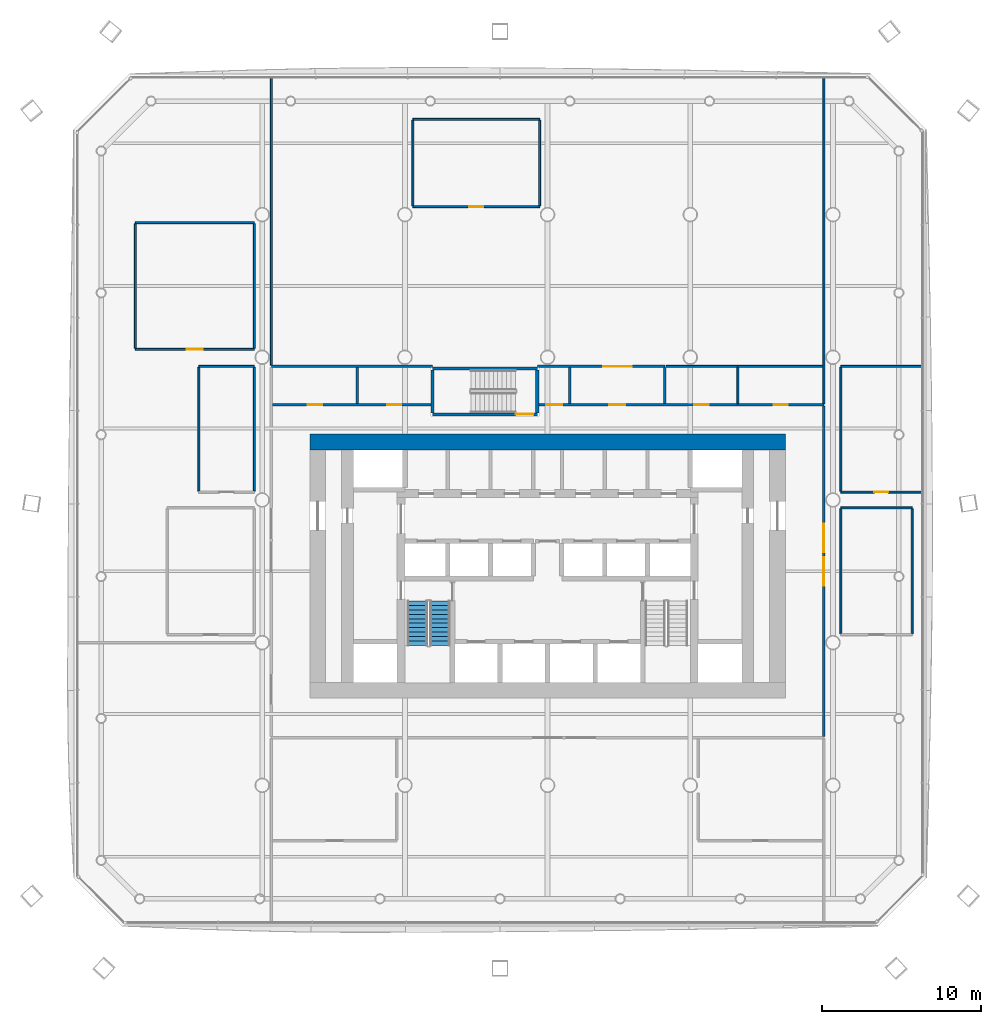
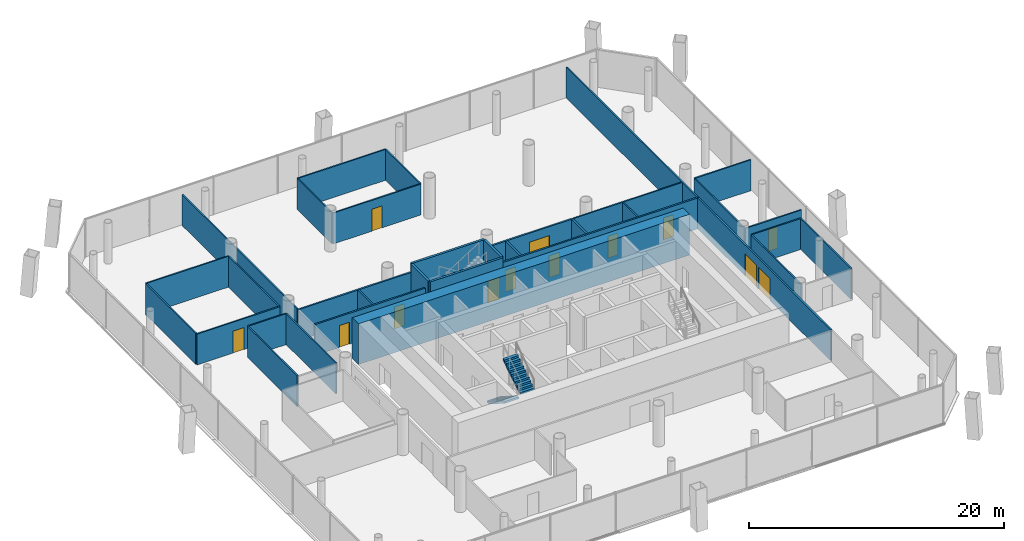
# One storey, part 15 of 21: 34 walls, 13 doors, 2 stair flights, 13 openings, 1 element without a shape of its own.
"""IFC4 building model written with IfcOpenShell, lengths in metres."""

from ifc_helpers import new_model, si_unit, direction, frame, frame_2d, origin, place, context, subcontext, project, spatial, polyline, rectangle, outline, extrude, material, layer, layer_set, type_object, element, fill, aggregate, save


model = new_model("IFC4")

# Units and contexts
model_context = context("Model", 3, precision=1e-05, world=origin(), true_north=direction((0.0, 1.0)))
body_context = subcontext(model_context, "Body", "Model", "MODEL_VIEW")
ifc_project = project(units=[si_unit("LENGTHUNIT", "METRE"), si_unit("AREAUNIT", "SQUARE_METRE"), si_unit("VOLUMEUNIT", "CUBIC_METRE"), si_unit("PLANEANGLEUNIT", "RADIAN"), si_unit("MASSUNIT", "GRAM", prefix="KILO")], contexts=[model_context])

# Site, building, storey
site_placement = place(None, origin())
site = spatial("IfcSite", under=ifc_project, at=site_placement, CompositionType="ELEMENT")
building_placement = place(site_placement, origin())
building = spatial("IfcBuilding", under=site, at=building_placement, Name="Tskaro Facet Tower", CompositionType="ELEMENT")
storey_placement = place(building_placement, frame((0.0, 0.0, 38.10009765625)))
storey = spatial("IfcBuildingStorey", under=building, at=storey_placement, Name="L08", CompositionType="ELEMENT", Elevation=38.10009765625)

# Walls
ifc_material_1 = material(Name="Concrete C60/75", Category="concrete")
ifc_layer_1 = layer(ifc_material_1, 1.0, Name="Concrete C60/75")
ifc_layer_set_1 = layer_set([ifc_layer_1], Name="Concrete C60/75")
wall_type_1 = type_object("IfcWallType", Name="Core wall 1000", PredefinedType="SHEAR", material=ifc_layer_set_1)
wall_1_placement = place(storey_placement, frame((-15.0, 3.64990234375, 0.0), z_axis=(0.0, 0.0, 1.0), x_axis=(1.0, 0.0, 0.0)))
element("IfcWall", 1, at=wall_1_placement, inside=storey, type_object=wall_type_1, Name="Core wall CW-Z1N", PredefinedType="SHEAR", context=body_context, shape_type="SweptSolid", body=[
    extrude(rectangle(XDim=30.0, YDim=1.0, at=frame_2d((15.0, 0.0))), origin(), (0.0, 0.0, 1.0), 3.89990234375),
])
ifc_material_2 = material(Name="Gypsum board on steel studs", Category="steel")
ifc_layer_2 = layer(ifc_material_2, 0.125, Name="Gypsum board on steel studs")
ifc_layer_set_2 = layer_set([ifc_layer_2], Name="Gypsum board on steel studs")
wall_type_2 = type_object("IfcWallType", Name="PART", PredefinedType="PARTITIONING", material=ifc_layer_set_2)
wall_2_placement = place(storey_placement, frame((18.5, -0.5, 0.0), z_axis=(0.0, 0.0, 1.0), x_axis=(1.0, 0.0, 0.0)))
element("IfcWall", 2, at=wall_2_placement, inside=storey, type_object=wall_type_2, Name="Partition W016", PredefinedType="PARTITIONING", context=body_context, shape_type="SweptSolid", body=[
    extrude(rectangle(XDim=4.5, YDim=0.125, at=frame_2d((2.25, 0.0))), origin(), (0.0, 0.0, 1.0), 2.9599609375),
])

# Wall, opening, door
wall_3_placement = place(storey_placement, frame((18.5, 0.5, 0.0), z_axis=(0.0, 0.0, 1.0), x_axis=(1.0, 0.0, 0.0)))
wall_3 = element("IfcWall", 3, at=wall_3_placement, inside=storey, type_object=wall_type_2, Name="Partition W018", PredefinedType="PARTITIONING", context=body_context, shape_type="SweptSolid", body=[
    extrude(rectangle(XDim=5.10400390625, YDim=0.125, at=frame_2d((2.552001953125, 0.0))), origin(), (0.0, 0.0, 1.0), 2.9599609375),
])
opening_1_placement = place(wall_3_placement, frame((2.10205078125, 0.0, 0.0)))
opening_1 = element("IfcOpeningElement", 4, at=opening_1_placement, cuts=wall_3, Name="Opening T2-D28", PredefinedType="OPENING", context=body_context, shape_type="SweptSolid", body=[
    extrude(rectangle(XDim=0.89990234375, YDim=2.10009765625, at=frame_2d((0.449951171875, 1.050048828125))), frame((0.0, 0.072509765625, 0.0), z_axis=(0.0, -1.0, 0.0), x_axis=(1.0, 0.0, 0.0)), (0.0, 0.0, 1.0), 0.14501953125),
])
ifc_material_3 = material(Name="Timber", Category="wood")
door_type_1 = type_object("IfcDoorType", Name="D-ROOM", OperationType="NOTDEFINED", PredefinedType="DOOR", material=ifc_material_3)
door_1_placement = place(opening_1_placement, origin())
door_1 = element("IfcDoor", 5, at=door_1_placement, inside=storey, type_object=door_type_1, Name="Door T2-D28", OperationType="SINGLE_SWING_LEFT", OverallHeight=2.10009765625, OverallWidth=0.89990234375, PredefinedType="DOOR", context=body_context, shape_type="SweptSolid", body=[
    extrude(rectangle(XDim=0.89990234375, YDim=2.10009765625, at=frame_2d((0.449951171875, 1.050048828125))), frame((0.0, 0.02490234375, 0.0), z_axis=(0.0, -1.0, 0.0), x_axis=(1.0, 0.0, 0.0)), (0.0, 0.0, 1.0), 0.050048828125),
])
fill(opening_1, door_1)

# Walls
wall_4_placement = place(storey_placement, frame((-22.0, 8.425048828125, 0.0), z_axis=(0.0, 0.0, 1.0), x_axis=(1.0, 0.0, 0.0)))
element("IfcWall", 6, at=wall_4_placement, inside=storey, type_object=wall_type_2, Name="Partition W025", PredefinedType="PARTITIONING", context=body_context, shape_type="SweptSolid", body=[
    extrude(rectangle(XDim=3.5, YDim=0.125, at=frame_2d((1.75, 0.0))), origin(), (0.0, 0.0, 1.0), 2.9599609375),
])
wall_5_placement = place(storey_placement, frame((7.47509765625, 8.425048828125, 0.0), z_axis=(0.0, 0.0, 1.0), x_axis=(1.0, 0.0, 0.0)))
element("IfcWall", 7, at=wall_5_placement, inside=storey, type_object=wall_type_2, Name="Partition W028", PredefinedType="PARTITIONING", context=body_context, shape_type="SweptSolid", body=[
    extrude(rectangle(XDim=9.887451171875, YDim=0.125, at=frame_2d((4.94384765625, 0.0))), origin(), (0.0, 0.0, 1.0), 2.9599609375),
])
wall_6_placement = place(storey_placement, frame((18.5, 8.425048828125, 0.0), z_axis=(0.0, 0.0, 1.0), x_axis=(1.0, 0.0, 0.0)))
element("IfcWall", 8, at=wall_6_placement, inside=storey, type_object=wall_type_2, Name="Partition W029", PredefinedType="PARTITIONING", context=body_context, shape_type="SweptSolid", body=[
    extrude(rectangle(XDim=5.10400390625, YDim=0.125, at=frame_2d((2.552001953125, 0.0))), origin(), (0.0, 0.0, 1.0), 2.9599609375),
])

# Wall, opening, door
wall_7_placement = place(storey_placement, frame((-26.0, 9.5, 0.0), z_axis=(0.0, 0.0, 1.0), x_axis=(1.0, 0.0, 0.0)))
wall_7 = element("IfcWall", 9, at=wall_7_placement, inside=storey, type_object=wall_type_2, Name="Partition W030", PredefinedType="PARTITIONING", context=body_context, shape_type="SweptSolid", body=[
    extrude(rectangle(XDim=7.5, YDim=0.125, at=frame_2d((3.75, 0.0))), origin(), (0.0, 0.0, 1.0), 2.9599609375),
])
opening_2_placement = place(wall_7_placement, frame((3.25, 0.0, 0.0)))
opening_2 = element("IfcOpeningElement", 10, at=opening_2_placement, cuts=wall_7, Name="Opening T2-D38", PredefinedType="OPENING", context=body_context, shape_type="SweptSolid", body=[
    extrude(rectangle(XDim=1.0, YDim=2.10009765625, at=frame_2d((0.5, 1.050048828125))), frame((0.0, 0.072509765625, 0.0), z_axis=(0.0, -1.0, 0.0), x_axis=(1.0, 0.0, 0.0)), (0.0, 0.0, 1.0), 0.14501953125),
])
door_type_2 = type_object("IfcDoorType", Name="D-ROOM-WIDE", OperationType="NOTDEFINED", PredefinedType="DOOR", material=ifc_material_3)
door_2_placement = place(opening_2_placement, origin())
door_2 = element("IfcDoor", 11, at=door_2_placement, inside=storey, type_object=door_type_2, Name="Door T2-D38", OperationType="SINGLE_SWING_LEFT", OverallHeight=2.10009765625, OverallWidth=1.0, PredefinedType="DOOR", context=body_context, shape_type="SweptSolid", body=[
    extrude(rectangle(XDim=1.0, YDim=2.10009765625, at=frame_2d((0.5, 1.050048828125))), frame((0.0, 0.02490234375, 0.0), z_axis=(0.0, -1.0, 0.0), x_axis=(1.0, 0.0, 0.0)), (0.0, 0.0, 1.0), 0.050048828125),
])
fill(opening_2, door_2)

# Wall
wall_8_placement = place(storey_placement, frame((-26.0, 17.5, 0.0), z_axis=(0.0, 0.0, 1.0), x_axis=(1.0, 0.0, 0.0)))
element("IfcWall", 12, at=wall_8_placement, inside=storey, type_object=wall_type_2, Name="Partition W031", PredefinedType="PARTITIONING", context=body_context, shape_type="SweptSolid", body=[
    extrude(rectangle(XDim=7.5, YDim=0.125, at=frame_2d((3.75, 0.0))), origin(), (0.0, 0.0, 1.0), 2.9599609375),
])

# Wall, opening, door
wall_9_placement = place(storey_placement, frame((-8.5, 18.5, 0.0), z_axis=(0.0, 0.0, 1.0), x_axis=(1.0, 0.0, 0.0)))
wall_9 = element("IfcWall", 13, at=wall_9_placement, inside=storey, type_object=wall_type_2, Name="Partition W032", PredefinedType="PARTITIONING", context=body_context, shape_type="SweptSolid", body=[
    extrude(rectangle(XDim=8.0, YDim=0.125, at=frame_2d((4.0, 0.0))), origin(), (0.0, 0.0, 1.0), 2.9599609375),
])
opening_3_placement = place(wall_9_placement, frame((3.550048828125, 0.0, 0.0)))
opening_3 = element("IfcOpeningElement", 14, at=opening_3_placement, cuts=wall_9, Name="Opening T2-D39", PredefinedType="OPENING", context=body_context, shape_type="SweptSolid", body=[
    extrude(rectangle(XDim=0.89990234375, YDim=2.10009765625, at=frame_2d((0.449951171875, 1.050048828125))), frame((0.0, 0.072509765625, 0.0), z_axis=(0.0, -1.0, 0.0), x_axis=(1.0, 0.0, 0.0)), (0.0, 0.0, 1.0), 0.14501953125),
])
door_3_placement = place(opening_3_placement, origin())
door_3 = element("IfcDoor", 15, at=door_3_placement, inside=storey, type_object=door_type_1, Name="Door T2-D39", OperationType="SINGLE_SWING_LEFT", OverallHeight=2.10009765625, OverallWidth=0.89990234375, PredefinedType="DOOR", context=body_context, shape_type="SweptSolid", body=[
    extrude(rectangle(XDim=0.89990234375, YDim=2.10009765625, at=frame_2d((0.449951171875, 1.050048828125))), frame((0.0, 0.02490234375, 0.0), z_axis=(0.0, -1.0, 0.0), x_axis=(1.0, 0.0, 0.0)), (0.0, 0.0, 1.0), 0.050048828125),
])
fill(opening_3, door_3)

# Walls
wall_10_placement = place(storey_placement, frame((-8.5, 24.0, 0.0), z_axis=(0.0, 0.0, 1.0), x_axis=(1.0, 0.0, 0.0)))
element("IfcWall", 16, at=wall_10_placement, inside=storey, type_object=wall_type_2, Name="Partition W033", PredefinedType="PARTITIONING", context=body_context, shape_type="SweptSolid", body=[
    extrude(rectangle(XDim=8.0, YDim=0.125, at=frame_2d((4.0, 0.0))), origin(), (0.0, 0.0, 1.0), 2.9599609375),
])
wall_11_placement = place(storey_placement, frame((-26.0, 9.5625, 0.0), z_axis=(0.0, 0.0, 1.0), x_axis=(0.0, 1.0, 0.0)))
element("IfcWall", 17, at=wall_11_placement, inside=storey, type_object=wall_type_2, Name="Partition W034", PredefinedType="PARTITIONING", context=body_context, shape_type="SweptSolid", body=[
    extrude(rectangle(XDim=7.875, YDim=0.125, at=frame_2d((3.9375, 0.0))), origin(), (0.0, 0.0, 1.0), 2.9599609375),
])
for number, where, z_axis, x_axis, name in (
    (18, (-22.0, 0.5625, 0.0), (0.0, 0.0, 1.0), (0.0, 1.0, 0.0), "Partition W036"),
    (19, (-18.5, 0.5625, 0.0), (0.0, 0.0, 1.0), (0.0, 1.0, 0.0), "Partition W038"),
):
    element("IfcWall", number, at=place(storey_placement, frame(where, z_axis=z_axis, x_axis=x_axis)), inside=storey, type_object=wall_type_2, Name=name, PredefinedType="PARTITIONING", context=body_context, shape_type="SweptSolid", body=[
        extrude(rectangle(XDim=7.800048828125, YDim=0.125, at=frame_2d((3.89990234375, 0.0))), origin(), (0.0, 0.0, 1.0), 2.9599609375),
    ])
wall_12_placement = place(storey_placement, frame((-18.5, 9.5625, 0.0), z_axis=(0.0, 0.0, 1.0), x_axis=(0.0, 1.0, 0.0)))
element("IfcWall", 20, at=wall_12_placement, inside=storey, type_object=wall_type_2, Name="Partition W039", PredefinedType="PARTITIONING", context=body_context, shape_type="SweptSolid", body=[
    extrude(rectangle(XDim=7.875, YDim=0.125, at=frame_2d((3.9375, 0.0))), origin(), (0.0, 0.0, 1.0), 2.9599609375),
])
wall_13_placement = place(storey_placement, frame((-17.425048828125, 8.5, 0.0), z_axis=(0.0, 0.0, 1.0), x_axis=(0.0, 1.0, 0.0)))
element("IfcWall", 21, at=wall_13_placement, inside=storey, type_object=wall_type_2, Name="Partition W042", PredefinedType="PARTITIONING", context=body_context, shape_type="SweptSolid", body=[
    extrude(rectangle(XDim=18.10400390625, YDim=0.125, at=frame_2d((9.052001953125, 0.0))), origin(), (0.0, 0.0, 1.0), 2.9599609375),
])
for number, where, z_axis, x_axis, name in (
    (22, (-8.5, 18.5625, 0.0), (0.0, 0.0, 1.0), (0.0, 1.0, 0.0), "Partition W047"),
    (23, (-0.5, 18.5625, 0.0), (0.0, 0.0, 1.0), (0.0, 1.0, 0.0), "Partition W058"),
):
    element("IfcWall", number, at=place(storey_placement, frame(where, z_axis=z_axis, x_axis=x_axis)), inside=storey, type_object=wall_type_2, Name=name, PredefinedType="PARTITIONING", context=body_context, shape_type="SweptSolid", body=[
        extrude(rectangle(XDim=5.375, YDim=0.125, at=frame_2d((2.6875, 0.0))), origin(), (0.0, 0.0, 1.0), 2.9599609375),
    ])
wall_14_placement = place(storey_placement, frame((12.0, 6.074951171875, 0.0), z_axis=(0.0, 0.0, 1.0), x_axis=(0.0, 1.0, 0.0)))
element("IfcWall", 24, at=wall_14_placement, inside=storey, type_object=wall_type_2, Name="Partition W073", PredefinedType="PARTITIONING", context=body_context, shape_type="SweptSolid", body=[
    extrude(rectangle(XDim=2.28759765625, YDim=0.125, at=frame_2d((1.143798828125, 0.0))), origin(), (0.0, 0.0, 1.0), 2.9599609375),
])
wall_15_placement = place(storey_placement, frame((17.425048828125, 6.074951171875, 0.0), z_axis=(0.0, 0.0, 1.0), x_axis=(0.0, 1.0, 0.0)))
element("IfcWall", 25, at=wall_15_placement, inside=storey, type_object=wall_type_2, Name="Partition W076", PredefinedType="PARTITIONING", context=body_context, shape_type="SweptSolid", body=[
    extrude(rectangle(XDim=20.529052734375, YDim=0.125, at=frame_2d((10.2646484375, 0.0))), origin(), (0.0, 0.0, 1.0), 2.9599609375),
])
wall_16_placement = place(storey_placement, frame((18.5, -8.4375, 0.0), z_axis=(0.0, 0.0, 1.0), x_axis=(0.0, 1.0, 0.0)))
element("IfcWall", 26, at=wall_16_placement, inside=storey, type_object=wall_type_2, Name="Partition W077", PredefinedType="PARTITIONING", context=body_context, shape_type="SweptSolid", body=[
    extrude(rectangle(XDim=7.875, YDim=0.125, at=frame_2d((3.9375, 0.0))), origin(), (0.0, 0.0, 1.0), 2.9599609375),
])
wall_17_placement = place(storey_placement, frame((18.5, 0.5625, 0.0), z_axis=(0.0, 0.0, 1.0), x_axis=(0.0, 1.0, 0.0)))
element("IfcWall", 27, at=wall_17_placement, inside=storey, type_object=wall_type_2, Name="Partition W078", PredefinedType="PARTITIONING", context=body_context, shape_type="SweptSolid", body=[
    extrude(rectangle(XDim=7.800048828125, YDim=0.125, at=frame_2d((3.89990234375, 0.0))), origin(), (0.0, 0.0, 1.0), 2.9599609375),
])
wall_18_placement = place(storey_placement, frame((23.0, -8.4375, 0.0), z_axis=(0.0, 0.0, 1.0), x_axis=(0.0, 1.0, 0.0)))
element("IfcWall", 28, at=wall_18_placement, inside=storey, type_object=wall_type_2, Name="Partition W079", PredefinedType="PARTITIONING", context=body_context, shape_type="SweptSolid", body=[
    extrude(rectangle(XDim=7.875, YDim=0.125, at=frame_2d((3.9375, 0.0))), origin(), (0.0, 0.0, 1.0), 2.9599609375),
])

# Wall, openings, doors
ifc_layer_3 = layer(ifc_material_2, 0.14990234375, Name="Gypsum board on steel studs")
ifc_layer_set_3 = layer_set([ifc_layer_3], Name="Gypsum board on steel studs")
wall_type_3 = type_object("IfcWallType", Name="PART-CORR", PredefinedType="PARTITIONING", material=ifc_layer_set_3)
wall_19_placement = place(storey_placement, frame((-17.35009765625, 6.0, 0.0), z_axis=(0.0, 0.0, 1.0), x_axis=(1.0, 0.0, 0.0)))
wall_19 = element("IfcWall", 29, at=wall_19_placement, inside=storey, type_object=wall_type_3, Name="Corridor wall W022", PredefinedType="PARTITIONING", context=body_context, shape_type="SweptSolid", body=[
    extrude(rectangle(XDim=10.0, YDim=0.14990234375, at=frame_2d((5.0, 0.0))), origin(), (0.0, 0.0, 1.0), 2.9599609375),
])
opening_4_placement = place(wall_19_placement, frame((2.22509765625, 0.0, 0.0)))
opening_4 = element("IfcOpeningElement", 30, at=opening_4_placement, cuts=wall_19, Name="Opening T2-D31", PredefinedType="OPENING", context=body_context, shape_type="SweptSolid", body=[
    extrude(rectangle(XDim=0.89990234375, YDim=2.10009765625, at=frame_2d((0.449951171875, 1.050048828125))), frame((0.0, 0.0849609375, 0.0), z_axis=(0.0, -1.0, 0.0), x_axis=(1.0, 0.0, 0.0)), (0.0, 0.0, 1.0), 0.169921875),
])
opening_5_placement = place(wall_19_placement, frame((7.22509765625, 0.0, 0.0)))
opening_5 = element("IfcOpeningElement", 31, at=opening_5_placement, cuts=wall_19, Name="Opening T2-D32", PredefinedType="OPENING", context=body_context, shape_type="SweptSolid", body=[
    extrude(rectangle(XDim=0.89990234375, YDim=2.10009765625, at=frame_2d((0.449951171875, 1.050048828125))), frame((0.0, 0.0849609375, 0.0), z_axis=(0.0, -1.0, 0.0), x_axis=(1.0, 0.0, 0.0)), (0.0, 0.0, 1.0), 0.169921875),
])
door_4_placement = place(opening_4_placement, origin())
door_4 = element("IfcDoor", 32, at=door_4_placement, inside=storey, type_object=door_type_1, Name="Door T2-D31", OperationType="SINGLE_SWING_LEFT", OverallHeight=2.10009765625, OverallWidth=0.89990234375, PredefinedType="DOOR", context=body_context, shape_type="SweptSolid", body=[
    extrude(rectangle(XDim=0.89990234375, YDim=2.10009765625, at=frame_2d((0.449951171875, 1.050048828125))), frame((0.0, 0.02490234375, 0.0), z_axis=(0.0, -1.0, 0.0), x_axis=(1.0, 0.0, 0.0)), (0.0, 0.0, 1.0), 0.050048828125),
])
fill(opening_4, door_4)
door_5_placement = place(opening_5_placement, origin())
door_5 = element("IfcDoor", 33, at=door_5_placement, inside=storey, type_object=door_type_1, Name="Door T2-D32", OperationType="SINGLE_SWING_LEFT", OverallHeight=2.10009765625, OverallWidth=0.89990234375, PredefinedType="DOOR", context=body_context, shape_type="SweptSolid", body=[
    extrude(rectangle(XDim=0.89990234375, YDim=2.10009765625, at=frame_2d((0.449951171875, 1.050048828125))), frame((0.0, 0.02490234375, 0.0), z_axis=(0.0, -1.0, 0.0), x_axis=(1.0, 0.0, 0.0)), (0.0, 0.0, 1.0), 0.050048828125),
])
fill(opening_5, door_5)

wall_20_placement = place(storey_placement, frame((17.425048828125, 6.0, 0.0), z_axis=(0.0, 0.0, 1.0), x_axis=(-1.0, 0.0, 0.0)))
wall_20 = element("IfcWall", 34, at=wall_20_placement, inside=storey, type_object=wall_type_3, Name="Corridor wall W023", PredefinedType="PARTITIONING", context=body_context, shape_type="SweptSolid", body=[
    extrude(rectangle(XDim=17.97509765625, YDim=0.14990234375, at=frame_2d((8.987548828125, 0.0))), origin(), (0.0, 0.0, 1.0), 2.9599609375),
])
opening_6_placement = place(wall_20_placement, frame((12.52490234375, 0.0, 0.0)))
opening_6 = element("IfcOpeningElement", 35, at=opening_6_placement, cuts=wall_20, Name="Opening T2-D34", PredefinedType="OPENING", context=body_context, shape_type="SweptSolid", body=[
    extrude(rectangle(XDim=1.0, YDim=2.10009765625, at=frame_2d((0.5, 1.050048828125))), frame((0.0, 0.0849609375, 0.0), z_axis=(0.0, -1.0, 0.0), x_axis=(1.0, 0.0, 0.0)), (0.0, 0.0, 1.0), 0.169921875),
])
opening_7_placement = place(wall_20_placement, frame((16.5, 0.0, 0.0)))
opening_7 = element("IfcOpeningElement", 36, at=opening_7_placement, cuts=wall_20, Name="Opening T2-D33", PredefinedType="OPENING", context=body_context, shape_type="SweptSolid", body=[
    extrude(rectangle(XDim=1.0, YDim=2.10009765625, at=frame_2d((0.5, 1.050048828125))), frame((0.0, 0.0849609375, 0.0), z_axis=(0.0, -1.0, 0.0), x_axis=(1.0, 0.0, 0.0)), (0.0, 0.0, 1.0), 0.169921875),
])
opening_8_placement = place(wall_20_placement, frame((7.27490234375, 0.0, 0.0)))
opening_8 = element("IfcOpeningElement", 37, at=opening_8_placement, cuts=wall_20, Name="Opening T2-D35", PredefinedType="OPENING", context=body_context, shape_type="SweptSolid", body=[
    extrude(rectangle(XDim=0.89990234375, YDim=2.10009765625, at=frame_2d((0.449951171875, 1.050048828125))), frame((0.0, 0.0849609375, 0.0), z_axis=(0.0, -1.0, 0.0), x_axis=(1.0, 0.0, 0.0)), (0.0, 0.0, 1.0), 0.169921875),
])
opening_9_placement = place(wall_20_placement, frame((2.262451171875, 0.0, 0.0)))
opening_9 = element("IfcOpeningElement", 38, at=opening_9_placement, cuts=wall_20, Name="Opening T2-D36", PredefinedType="OPENING", context=body_context, shape_type="SweptSolid", body=[
    extrude(rectangle(XDim=0.89990234375, YDim=2.10009765625, at=frame_2d((0.449951171875, 1.050048828125))), frame((0.0, 0.0849609375, 0.0), z_axis=(0.0, -1.0, 0.0), x_axis=(1.0, 0.0, 0.0)), (0.0, 0.0, 1.0), 0.169921875),
])
door_type_3 = type_object("IfcDoorType", Name="D-ENTRY", OperationType="NOTDEFINED", PredefinedType="DOOR", material=ifc_material_3)
door_6_placement = place(opening_6_placement, origin())
door_6 = element("IfcDoor", 39, at=door_6_placement, inside=storey, type_object=door_type_3, Name="Door T2-D34", OperationType="SINGLE_SWING_RIGHT", OverallHeight=2.10009765625, OverallWidth=1.0, PredefinedType="DOOR", context=body_context, shape_type="SweptSolid", body=[
    extrude(rectangle(XDim=1.0, YDim=2.10009765625, at=frame_2d((0.5, 1.050048828125))), frame((0.0, 0.02490234375, 0.0), z_axis=(0.0, -1.0, 0.0), x_axis=(1.0, 0.0, 0.0)), (0.0, 0.0, 1.0), 0.050048828125),
])
fill(opening_6, door_6)
door_7_placement = place(opening_8_placement, origin())
door_7 = element("IfcDoor", 40, at=door_7_placement, inside=storey, type_object=door_type_1, Name="Door T2-D35", OperationType="SINGLE_SWING_RIGHT", OverallHeight=2.10009765625, OverallWidth=0.89990234375, PredefinedType="DOOR", context=body_context, shape_type="SweptSolid", body=[
    extrude(rectangle(XDim=0.89990234375, YDim=2.10009765625, at=frame_2d((0.449951171875, 1.050048828125))), frame((0.0, 0.02490234375, 0.0), z_axis=(0.0, -1.0, 0.0), x_axis=(1.0, 0.0, 0.0)), (0.0, 0.0, 1.0), 0.050048828125),
])
fill(opening_8, door_7)
door_8_placement = place(opening_9_placement, origin())
door_8 = element("IfcDoor", 41, at=door_8_placement, inside=storey, type_object=door_type_1, Name="Door T2-D36", OperationType="SINGLE_SWING_RIGHT", OverallHeight=2.10009765625, OverallWidth=0.89990234375, PredefinedType="DOOR", context=body_context, shape_type="SweptSolid", body=[
    extrude(rectangle(XDim=0.89990234375, YDim=2.10009765625, at=frame_2d((0.449951171875, 1.050048828125))), frame((0.0, 0.02490234375, 0.0), z_axis=(0.0, -1.0, 0.0), x_axis=(1.0, 0.0, 0.0)), (0.0, 0.0, 1.0), 0.050048828125),
])
fill(opening_9, door_8)
door_9_placement = place(opening_7_placement, origin())
door_9 = element("IfcDoor", 42, at=door_9_placement, inside=storey, type_object=door_type_2, Name="Door T2-D33", OperationType="SINGLE_SWING_RIGHT", OverallHeight=2.10009765625, OverallWidth=1.0, PredefinedType="DOOR", context=body_context, shape_type="SweptSolid", body=[
    extrude(rectangle(XDim=1.0, YDim=2.10009765625, at=frame_2d((0.5, 1.050048828125))), frame((0.0, 0.02490234375, 0.0), z_axis=(0.0, -1.0, 0.0), x_axis=(1.0, 0.0, 0.0)), (0.0, 0.0, 1.0), 0.050048828125),
])
fill(opening_7, door_9)

# Wall
wall_21_placement = place(storey_placement, frame((-17.425048828125, 8.425048828125, 0.0), z_axis=(0.0, 0.0, 1.0), x_axis=(1.0, 0.0, 0.0)))
element("IfcWall", 43, at=wall_21_placement, inside=storey, type_object=wall_type_3, Name="Corridor wall W026", PredefinedType="PARTITIONING", context=body_context, shape_type="SweptSolid", body=[
    extrude(rectangle(XDim=10.175048828125, YDim=0.14990234375, at=frame_2d((5.08740234375, 0.0))), origin(), (0.0, 0.0, 1.0), 2.9599609375),
])

# Wall, opening, door
wall_22_placement = place(storey_placement, frame((-0.64990234375, 8.425048828125, 0.0), z_axis=(0.0, 0.0, 1.0), x_axis=(1.0, 0.0, 0.0)))
wall_22 = element("IfcWall", 44, at=wall_22_placement, inside=storey, type_object=wall_type_3, Name="Corridor wall W027", PredefinedType="PARTITIONING", context=body_context, shape_type="SweptSolid", body=[
    extrude(rectangle(XDim=8.0498046875, YDim=0.14990234375, at=frame_2d((4.02490234375, 0.0))), origin(), (0.0, 0.0, 1.0), 2.9599609375),
])
opening_10_placement = place(wall_22_placement, frame((4.14990234375, 0.0, 0.0)))
opening_10 = element("IfcOpeningElement", 45, at=opening_10_placement, cuts=wall_22, Name="Opening T2-D37", PredefinedType="OPENING", context=body_context, shape_type="SweptSolid", body=[
    extrude(rectangle(XDim=1.800048828125, YDim=2.10009765625, at=frame_2d((0.89990234375, 1.050048828125))), frame((0.0, 0.0849609375, 0.0), z_axis=(0.0, -1.0, 0.0), x_axis=(1.0, 0.0, 0.0)), (0.0, 0.0, 1.0), 0.169921875),
])
ifc_material_4 = material(Name="Glass", Category="glass")
door_type_4 = type_object("IfcDoorType", Name="D-ENTRY-PAIR", OperationType="NOTDEFINED", PredefinedType="DOOR", material=ifc_material_4)
door_10_placement = place(opening_10_placement, origin())
door_10 = element("IfcDoor", 46, at=door_10_placement, inside=storey, type_object=door_type_4, Name="Door T2-D37", OperationType="DOUBLE_DOOR_SINGLE_SWING", OverallHeight=2.10009765625, OverallWidth=1.800048828125, PredefinedType="DOOR", context=body_context, shape_type="SweptSolid", body=[
    extrude(rectangle(XDim=1.800048828125, YDim=2.10009765625, at=frame_2d((0.89990234375, 1.050048828125))), frame((0.0, 0.02490234375, 0.0), z_axis=(0.0, -1.0, 0.0), x_axis=(1.0, 0.0, 0.0)), (0.0, 0.0, 1.0), 0.050048828125),
])
fill(opening_10, door_10)

# Walls
for number, where, z_axis, x_axis, name in (
    (47, (-12.0, 6.074951171875, 0.0), (0.0, 0.0, 1.0), (0.0, 1.0, 0.0), "Corridor wall W043"),
    (48, (1.39990234375, 6.074951171875, 0.0), (0.0, 0.0, 1.0), (0.0, 1.0, 0.0), "Corridor wall W062"),
    (49, (7.39990234375, 6.074951171875, 0.0), (0.0, 0.0, 1.0), (0.0, 1.0, 0.0), "Corridor wall W069"),
):
    element("IfcWall", number, at=place(storey_placement, frame(where, z_axis=z_axis, x_axis=x_axis)), inside=storey, type_object=wall_type_3, Name=name, PredefinedType="PARTITIONING", context=body_context, shape_type="SweptSolid", body=[
        extrude(rectangle(XDim=2.275146484375, YDim=0.14990234375, at=frame_2d((1.1376953125, 0.0))), origin(), (0.0, 0.0, 1.0), 2.9599609375),
    ])

# Wall, openings, doors
wall_23_placement = place(storey_placement, frame((17.425048828125, -14.925048828125, 0.0), z_axis=(0.0, 0.0, 1.0), x_axis=(0.0, 1.0, 0.0)))
wall_23 = element("IfcWall", 50, at=wall_23_placement, inside=storey, type_object=wall_type_3, Name="Corridor wall W075", PredefinedType="PARTITIONING", context=body_context, shape_type="SweptSolid", body=[
    extrude(rectangle(XDim=20.85009765625, YDim=0.14990234375, at=frame_2d((10.425048828125, 0.0))), origin(), (0.0, 0.0, 1.0), 2.9599609375),
])
opening_11_placement = place(wall_23_placement, frame((9.52490234375, 0.0, 0.0)))
opening_11 = element("IfcOpeningElement", 51, at=opening_11_placement, cuts=wall_23, Name="Opening T2-D10", PredefinedType="OPENING", context=body_context, shape_type="SweptSolid", body=[
    extrude(rectangle(XDim=1.800048828125, YDim=2.10009765625, at=frame_2d((0.89990234375, 1.050048828125))), frame((0.0, 0.0849609375, 0.0), z_axis=(0.0, -1.0, 0.0), x_axis=(1.0, 0.0, 0.0)), (0.0, 0.0, 1.0), 0.169921875),
])
opening_12_placement = place(wall_23_placement, frame((11.625, 0.0, 0.0)))
opening_12 = element("IfcOpeningElement", 52, at=opening_12_placement, cuts=wall_23, Name="Opening T2-D12", PredefinedType="OPENING", context=body_context, shape_type="SweptSolid", body=[
    extrude(rectangle(XDim=1.800048828125, YDim=2.10009765625, at=frame_2d((0.89990234375, 1.050048828125))), frame((0.0, 0.0849609375, 0.0), z_axis=(0.0, -1.0, 0.0), x_axis=(1.0, 0.0, 0.0)), (0.0, 0.0, 1.0), 0.169921875),
])
door_11_placement = place(opening_11_placement, origin())
door_11 = element("IfcDoor", 53, at=door_11_placement, inside=storey, type_object=door_type_4, Name="Door T2-D10", OperationType="DOUBLE_DOOR_SINGLE_SWING", OverallHeight=2.10009765625, OverallWidth=1.800048828125, PredefinedType="DOOR", context=body_context, shape_type="SweptSolid", body=[
    extrude(rectangle(XDim=1.800048828125, YDim=2.10009765625, at=frame_2d((0.89990234375, 1.050048828125))), frame((0.0, 0.02490234375, 0.0), z_axis=(0.0, -1.0, 0.0), x_axis=(1.0, 0.0, 0.0)), (0.0, 0.0, 1.0), 0.050048828125),
])
fill(opening_11, door_11)
door_12_placement = place(opening_12_placement, origin())
door_12 = element("IfcDoor", 54, at=door_12_placement, inside=storey, type_object=door_type_4, Name="Door T2-D12", OperationType="DOUBLE_DOOR_SINGLE_SWING", OverallHeight=2.10009765625, OverallWidth=1.800048828125, PredefinedType="DOOR", context=body_context, shape_type="SweptSolid", body=[
    extrude(rectangle(XDim=1.800048828125, YDim=2.10009765625, at=frame_2d((0.89990234375, 1.050048828125))), frame((0.0, 0.02490234375, 0.0), z_axis=(0.0, -1.0, 0.0), x_axis=(1.0, 0.0, 0.0)), (0.0, 0.0, 1.0), 0.050048828125),
])
fill(opening_12, door_12)

# Wall, opening, door
ifc_layer_4 = layer(ifc_material_1, 0.199951171875, Name="Concrete C60/75")
ifc_layer_set_4 = layer_set([ifc_layer_4], Name="Concrete C60/75")
wall_type_4 = type_object("IfcWallType", Name="STAIR-WALL", PredefinedType="SHEAR", material=ifc_layer_set_4)
wall_24_placement = place(storey_placement, frame((-7.25, 5.39990234375, 0.0), z_axis=(0.0, 0.0, 1.0), x_axis=(1.0, 0.0, 0.0)))
wall_24 = element("IfcWall", 55, at=wall_24_placement, inside=storey, type_object=wall_type_4, Name="Stair wall W021", PredefinedType="SHEAR", context=body_context, shape_type="SweptSolid", body=[
    extrude(rectangle(XDim=6.60009765625, YDim=0.199951171875, at=frame_2d((3.300048828125, 0.0))), origin(), (0.0, 0.0, 1.0), 3.89990234375),
])
opening_13_placement = place(wall_24_placement, frame((5.25, 0.0, 0.0)))
opening_13 = element("IfcOpeningElement", 56, at=opening_13_placement, cuts=wall_24, Name="Opening ST-3-D1", PredefinedType="OPENING", context=body_context, shape_type="SweptSolid", body=[
    extrude(rectangle(XDim=1.10009765625, YDim=2.10009765625, at=frame_2d((0.550048828125, 1.050048828125))), frame((0.0, 0.10986328125, 0.0), z_axis=(0.0, -1.0, 0.0), x_axis=(1.0, 0.0, 0.0)), (0.0, 0.0, 1.0), 0.219970703125),
])
ifc_material_5 = material(Name="Steel", Category="steel")
door_type_5 = type_object("IfcDoorType", Name="D-STAIR", OperationType="NOTDEFINED", PredefinedType="DOOR", material=ifc_material_5)
door_13_placement = place(opening_13_placement, origin())
door_13 = element("IfcDoor", 57, at=door_13_placement, inside=storey, type_object=door_type_5, Name="Stair door 3", OperationType="SINGLE_SWING_LEFT", OverallHeight=2.10009765625, OverallWidth=1.10009765625, PredefinedType="DOOR", context=body_context, shape_type="SweptSolid", body=[
    extrude(rectangle(XDim=1.10009765625, YDim=2.10009765625, at=frame_2d((0.550048828125, 1.050048828125))), frame((0.0, 0.02490234375, 0.0), z_axis=(0.0, -1.0, 0.0), x_axis=(1.0, 0.0, 0.0)), (0.0, 0.0, 1.0), 0.050048828125),
])
fill(opening_13, door_13)

# Walls
wall_25_placement = place(storey_placement, frame((-7.25, 8.300048828125, 0.0), z_axis=(0.0, 0.0, 1.0), x_axis=(1.0, 0.0, 0.0)))
element("IfcWall", 58, at=wall_25_placement, inside=storey, type_object=wall_type_4, Name="Stair wall W024", PredefinedType="SHEAR", context=body_context, shape_type="SweptSolid", body=[
    extrude(rectangle(XDim=6.60009765625, YDim=0.199951171875, at=frame_2d((3.300048828125, 0.0))), origin(), (0.0, 0.0, 1.0), 3.89990234375),
])
for number, where, z_axis, x_axis, name in (
    (59, (-7.25, 5.5, 0.0), (0.0, 0.0, 1.0), (0.0, 1.0, 0.0), "Stair wall W048"),
    (60, (-0.64990234375, 5.5, 0.0), (0.0, 0.0, 1.0), (0.0, 1.0, 0.0), "Stair wall W057"),
):
    element("IfcWall", number, at=place(storey_placement, frame(where, z_axis=z_axis, x_axis=x_axis)), inside=storey, type_object=wall_type_4, Name=name, PredefinedType="SHEAR", context=body_context, shape_type="SweptSolid", body=[
        extrude(rectangle(XDim=2.699951171875, YDim=0.199951171875, at=frame_2d((1.35009765625, 0.0))), origin(), (0.0, 0.0, 1.0), 3.89990234375),
    ])

# Stair, stair flights
ifc_material_6 = material(Name="Concrete C40/50", Category="concrete")
stair_type = type_object("IfcStairType", Name="ST-TWR", PredefinedType="HALF_TURN_STAIR", material=ifc_material_6)
stair_placement = place(storey_placement, origin())
stair = element("IfcStair", 61, at=stair_placement, inside=storey, type_object=stair_type, Name="L08 Exit stair 1", PredefinedType="HALF_TURN_STAIR")
stair_flight_type = type_object("IfcStairFlightType", Name="SFL-RC", PredefinedType="STRAIGHT", material=ifc_material_6)
stair_flight_1_placement = place(storey_placement, frame((-8.21240234375, -6.375, 0.0), z_axis=(0.0, 0.0, 1.0), x_axis=(0.0, -1.0, 0.0)))
stair_flight_1 = element("IfcStairFlight", 62, at=stair_flight_1_placement, type_object=stair_flight_type, Name="ST-1 flight 1", NumberOfRisers=11, NumberOfTreads=10, PredefinedType="STRAIGHT", RiserHeight=0.177272727, TreadLength=0.28, context=body_context, shape_type="SweptSolid", body=[
    extrude(outline(polyline([(0.0, 0.0), (0.0, 0.17724609375), (0.280029296875, 0.17724609375), (0.280029296875, 0.3544921875), (0.56005859375, 0.3544921875), (0.56005859375, 0.53173828125), (0.840087890625, 0.53173828125), (0.840087890625, 0.708984375), (1.1201171875, 0.708984375), (1.1201171875, 0.886474609375), (1.39990234375, 0.886474609375), (1.39990234375, 1.063720703125), (1.679931640625, 1.063720703125), (1.679931640625, 1.240966796875), (1.9599609375, 1.240966796875), (1.9599609375, 1.418212890625), (2.239990234375, 1.418212890625), (2.239990234375, 1.595458984375), (2.52001953125, 1.595458984375), (2.52001953125, 1.772705078125), (2.800048828125, 1.772705078125), (2.800048828125, 1.949951171875), (2.800048828125, 1.59521484375), (0.2802734375, 0.0), (0.0, 0.0)])), frame((0.0, 0.637451171875, 0.0), z_axis=(0.0, -1.0, 0.0), x_axis=(1.0, 0.0, 0.0)), (0.0, 0.0, 1.0), 1.27490234375),
])
stair_flight_2_placement = place(storey_placement, frame((-6.78759765625, -9.175048828125, 1.949951171875), z_axis=(0.0, 0.0, 1.0), x_axis=(0.0, 1.0, 0.0)))
stair_flight_2 = element("IfcStairFlight", 63, at=stair_flight_2_placement, type_object=stair_flight_type, Name="ST-1 flight 2", NumberOfRisers=11, NumberOfTreads=10, PredefinedType="STRAIGHT", RiserHeight=0.177272727, TreadLength=0.28, context=body_context, shape_type="SweptSolid", body=[
    extrude(outline(polyline([(0.0, 0.0), (0.0, 0.17724609375), (0.280029296875, 0.17724609375), (0.280029296875, 0.3544921875), (0.56005859375, 0.3544921875), (0.56005859375, 0.53173828125), (0.840087890625, 0.53173828125), (0.840087890625, 0.708984375), (1.1201171875, 0.708984375), (1.1201171875, 0.886474609375), (1.39990234375, 0.886474609375), (1.39990234375, 1.063720703125), (1.679931640625, 1.063720703125), (1.679931640625, 1.240966796875), (1.9599609375, 1.240966796875), (1.9599609375, 1.418212890625), (2.239990234375, 1.418212890625), (2.239990234375, 1.595458984375), (2.52001953125, 1.595458984375), (2.52001953125, 1.772705078125), (2.800048828125, 1.772705078125), (2.800048828125, 1.949951171875), (2.800048828125, 1.59521484375), (0.2802734375, 0.0), (0.0, 0.0)])), frame((0.0, 0.637451171875, 0.0), z_axis=(0.0, -1.0, 0.0), x_axis=(1.0, 0.0, 0.0)), (0.0, 0.0, 1.0), 1.27490234375),
])
aggregate(stair, [stair_flight_1, stair_flight_2])

save(model, "model.ifc")
